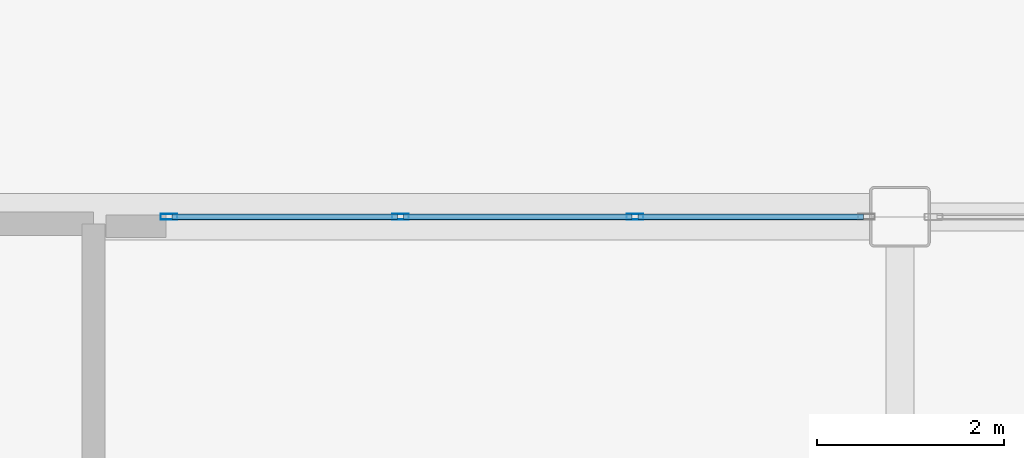
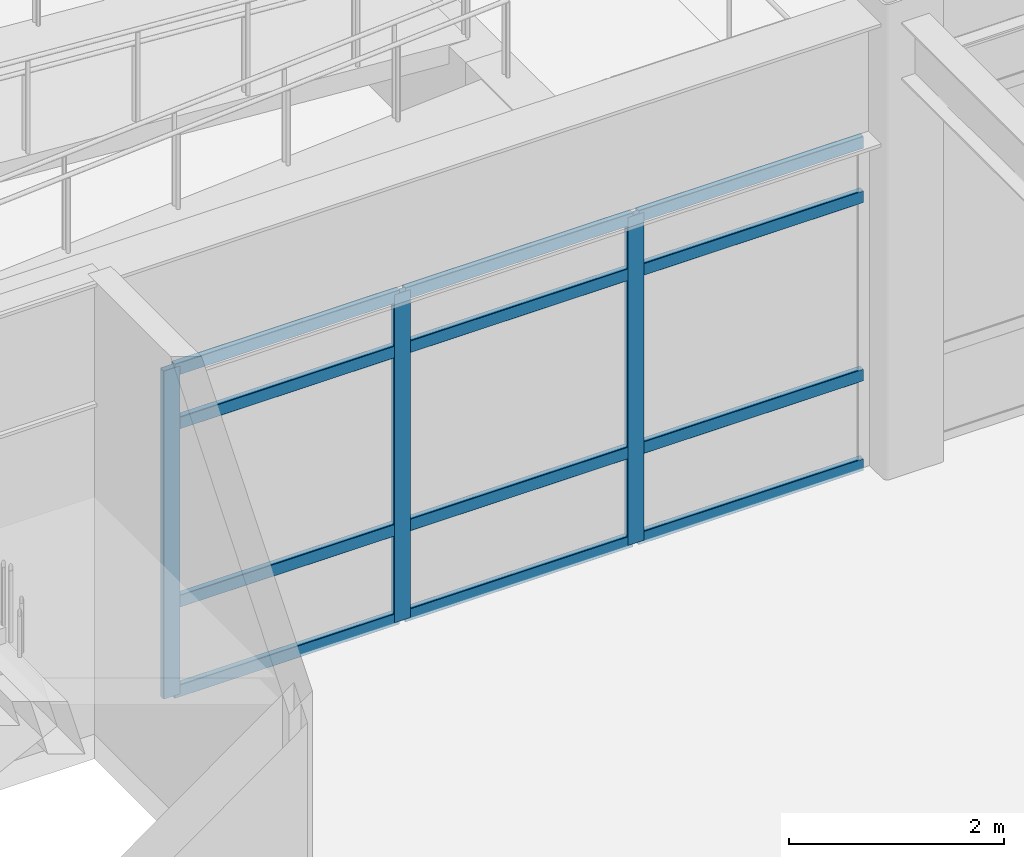
# One storey, part 52 of 165: 15 members, 1 element without a shape of its own.
"""IFC4 building model written with IfcOpenShell, lengths in metres."""

from ifc_helpers import new_model, si_unit, direction, frame, origin, origin_2d, place, context, subcontext, project, spatial, hollow_rectangle, extrude, material, layer, layer_set, material_profile, profile_set, type_object, element, aggregate, save


model = new_model("IFC4")

# Units and contexts
model_context = context("Model", 3, precision=1e-05, world=origin(), true_north=direction((0.0, 1.0)))
body_context = subcontext(model_context, "Body", "Model", "MODEL_VIEW")
ifc_project = project(units=[si_unit("LENGTHUNIT", "METRE"), si_unit("AREAUNIT", "SQUARE_METRE"), si_unit("VOLUMEUNIT", "CUBIC_METRE"), si_unit("PLANEANGLEUNIT", "RADIAN"), si_unit("MASSUNIT", "GRAM", prefix="KILO")], contexts=[model_context])

# Site, building, storey
site_placement = place(None, origin())
site = spatial("IfcSite", under=ifc_project, at=site_placement, CompositionType="ELEMENT")
building_placement = place(site_placement, origin())
building = spatial("IfcBuilding", under=site, at=building_placement, Name="Kazehara Bluff Congress Hotel", CompositionType="ELEMENT")
storey_placement = place(building_placement, origin())
storey = spatial("IfcBuildingStorey", under=building, at=storey_placement, Name="L00", CompositionType="ELEMENT", Elevation=0.0)

# Curtain wall, members
ifc_material_1 = material(Name="Anodised aluminium", Category="aluminium")
ifc_layer = layer(ifc_material_1, 0.159912109375)
ifc_layer_set = layer_set([ifc_layer], Name="Anodised aluminium")
curtain_wall_type = type_object("IfcCurtainWallType", Name="TP-CW-68", PredefinedType="NOTDEFINED", material=ifc_layer_set)
curtain_wall_placement = place(storey_placement, origin())
curtain_wall = element("IfcCurtainWall", 1, at=curtain_wall_placement, inside=storey, type_object=curtain_wall_type, Name="L00 curtain wall CW-68 CW-V4-L00-Y5645-8500", PredefinedType="NOTDEFINED")
ifc_material_2 = material(Name="Anodised aluminium", Category="aluminium")
ifc_material_profile_1 = material_profile(ifc_material_2, hollow_rectangle(XDim=0.06494140625, YDim=0.179931640625, WallThickness=0.00390625, InnerFilletRadius=0.00390625, OuterFilletRadius=0.008056640625, at=origin_2d()))
ifc_profile_set_1 = profile_set([ifc_material_profile_1], Name="Anodised aluminium")
member_type_1 = type_object("IfcMemberType", Name="TP-CWM-02", PredefinedType="MULLION", material=ifc_profile_set_1)
member_1_placement = place(storey_placement, frame((85.032470703125, 56.449951171875, 0.0), z_axis=(0.0, 0.0, 1.0), x_axis=(0.0, 1.0, 0.0)))
member_1 = element("IfcMember", 2, at=member_1_placement, type_object=member_type_1, Name="CW-68 mullion 1", PredefinedType="MULLION", context=body_context, shape_type="SweptSolid", body=[
    extrude(hollow_rectangle(XDim=0.06494140625, YDim=0.179931640625, WallThickness=0.00390625, InnerFilletRadius=0.00390625, OuterFilletRadius=0.008056640625, at=origin_2d()), origin(), (0.0, 0.0, 1.0), 3.72509765625),
])
member_2_placement = place(storey_placement, frame((87.50830078125, 56.449951171875, 0.0), z_axis=(0.0, 0.0, 1.0), x_axis=(0.0, 1.0, 0.0)))
member_2 = element("IfcMember", 3, at=member_2_placement, type_object=member_type_1, Name="CW-68 mullion 2", PredefinedType="MULLION", context=body_context, shape_type="SweptSolid", body=[
    extrude(hollow_rectangle(XDim=0.06494140625, YDim=0.179931640625, WallThickness=0.00390625, InnerFilletRadius=0.00390625, OuterFilletRadius=0.008056640625, at=origin_2d()), origin(), (0.0, 0.0, 1.0), 3.72509765625),
])
member_3_placement = place(storey_placement, frame((90.0166015625, 56.449951171875, 0.0), z_axis=(0.0, 0.0, 1.0), x_axis=(0.0, 1.0, 0.0)))
member_3 = element("IfcMember", 4, at=member_3_placement, type_object=member_type_1, Name="CW-68 mullion 3", PredefinedType="MULLION", context=body_context, shape_type="SweptSolid", body=[
    extrude(hollow_rectangle(XDim=0.06494140625, YDim=0.179931640625, WallThickness=0.00390625, InnerFilletRadius=0.00390625, OuterFilletRadius=0.008056640625, at=origin_2d()), origin(), (0.0, 0.0, 1.0), 3.72509765625),
])
ifc_material_3 = material(Name="Anodised aluminium", Category="aluminium")
ifc_material_profile_2 = material_profile(ifc_material_3, hollow_rectangle(XDim=0.06494140625, YDim=0.139892578125, WallThickness=0.00390625, InnerFilletRadius=0.00390625, OuterFilletRadius=0.008056640625, at=origin_2d()))
ifc_profile_set_2 = profile_set([ifc_material_profile_2], Name="Anodised aluminium")
member_type_2 = type_object("IfcMemberType", Name="TP-CWT-02", PredefinedType="USERDEFINED", material=ifc_profile_set_2)
member_4_placement = place(storey_placement, frame((85.06494140625, 56.449951171875, 0.032470703125), z_axis=(1.0, 0.0, 0.0), x_axis=(0.0, 1.0, 0.0)))
member_4 = element("IfcMember", 5, at=member_4_placement, type_object=member_type_2, Name="CW-68 transom 1.1", ObjectType="TRANSOM", PredefinedType="USERDEFINED", context=body_context, shape_type="SweptSolid", body=[
    extrude(hollow_rectangle(XDim=0.06494140625, YDim=0.139892578125, WallThickness=0.00390625, InnerFilletRadius=0.00390625, OuterFilletRadius=0.008056640625, at=origin_2d()), origin(), (0.0, 0.0, 1.0), 2.410888671875),
])
member_5_placement = place(storey_placement, frame((85.06494140625, 56.449951171875, 1.050048828125), z_axis=(1.0, 0.0, 0.0), x_axis=(0.0, 1.0, 0.0)))
member_5 = element("IfcMember", 6, at=member_5_placement, type_object=member_type_2, Name="CW-68 transom 1.2", ObjectType="TRANSOM", PredefinedType="USERDEFINED", context=body_context, shape_type="SweptSolid", body=[
    extrude(hollow_rectangle(XDim=0.06494140625, YDim=0.139892578125, WallThickness=0.00390625, InnerFilletRadius=0.00390625, OuterFilletRadius=0.008056640625, at=origin_2d()), origin(), (0.0, 0.0, 1.0), 2.410888671875),
])
member_6_placement = place(storey_placement, frame((85.06494140625, 56.449951171875, 3.074951171875), z_axis=(1.0, 0.0, 0.0), x_axis=(0.0, 1.0, 0.0)))
member_6 = element("IfcMember", 7, at=member_6_placement, type_object=member_type_2, Name="CW-68 transom 1.3", ObjectType="TRANSOM", PredefinedType="USERDEFINED", context=body_context, shape_type="SweptSolid", body=[
    extrude(hollow_rectangle(XDim=0.06494140625, YDim=0.139892578125, WallThickness=0.00390625, InnerFilletRadius=0.00390625, OuterFilletRadius=0.008056640625, at=origin_2d()), origin(), (0.0, 0.0, 1.0), 2.410888671875),
])
member_7_placement = place(storey_placement, frame((85.06494140625, 56.449951171875, 3.6923828125), z_axis=(1.0, 0.0, 0.0), x_axis=(0.0, 1.0, 0.0)))
member_7 = element("IfcMember", 8, at=member_7_placement, type_object=member_type_2, Name="CW-68 transom 1.4", ObjectType="TRANSOM", PredefinedType="USERDEFINED", context=body_context, shape_type="SweptSolid", body=[
    extrude(hollow_rectangle(XDim=0.06494140625, YDim=0.139892578125, WallThickness=0.00390625, InnerFilletRadius=0.00390625, OuterFilletRadius=0.008056640625, at=origin_2d()), origin(), (0.0, 0.0, 1.0), 2.410888671875),
])
member_8_placement = place(storey_placement, frame((87.540771484375, 56.449951171875, 0.032470703125), z_axis=(1.0, 0.0, 0.0), x_axis=(0.0, 1.0, 0.0)))
member_8 = element("IfcMember", 9, at=member_8_placement, type_object=member_type_2, Name="CW-68 transom 2.1", ObjectType="TRANSOM", PredefinedType="USERDEFINED", context=body_context, shape_type="SweptSolid", body=[
    extrude(hollow_rectangle(XDim=0.06494140625, YDim=0.139892578125, WallThickness=0.00390625, InnerFilletRadius=0.00390625, OuterFilletRadius=0.008056640625, at=origin_2d()), origin(), (0.0, 0.0, 1.0), 2.443359375),
])
member_9_placement = place(storey_placement, frame((87.540771484375, 56.449951171875, 1.050048828125), z_axis=(1.0, 0.0, 0.0), x_axis=(0.0, 1.0, 0.0)))
member_9 = element("IfcMember", 10, at=member_9_placement, type_object=member_type_2, Name="CW-68 transom 2.2", ObjectType="TRANSOM", PredefinedType="USERDEFINED", context=body_context, shape_type="SweptSolid", body=[
    extrude(hollow_rectangle(XDim=0.06494140625, YDim=0.139892578125, WallThickness=0.00390625, InnerFilletRadius=0.00390625, OuterFilletRadius=0.008056640625, at=origin_2d()), origin(), (0.0, 0.0, 1.0), 2.443359375),
])
member_10_placement = place(storey_placement, frame((87.540771484375, 56.449951171875, 3.074951171875), z_axis=(1.0, 0.0, 0.0), x_axis=(0.0, 1.0, 0.0)))
member_10 = element("IfcMember", 11, at=member_10_placement, type_object=member_type_2, Name="CW-68 transom 2.3", ObjectType="TRANSOM", PredefinedType="USERDEFINED", context=body_context, shape_type="SweptSolid", body=[
    extrude(hollow_rectangle(XDim=0.06494140625, YDim=0.139892578125, WallThickness=0.00390625, InnerFilletRadius=0.00390625, OuterFilletRadius=0.008056640625, at=origin_2d()), origin(), (0.0, 0.0, 1.0), 2.443359375),
])
member_11_placement = place(storey_placement, frame((87.540771484375, 56.449951171875, 3.6923828125), z_axis=(1.0, 0.0, 0.0), x_axis=(0.0, 1.0, 0.0)))
member_11 = element("IfcMember", 12, at=member_11_placement, type_object=member_type_2, Name="CW-68 transom 2.4", ObjectType="TRANSOM", PredefinedType="USERDEFINED", context=body_context, shape_type="SweptSolid", body=[
    extrude(hollow_rectangle(XDim=0.06494140625, YDim=0.139892578125, WallThickness=0.00390625, InnerFilletRadius=0.00390625, OuterFilletRadius=0.008056640625, at=origin_2d()), origin(), (0.0, 0.0, 1.0), 2.443359375),
])
member_12_placement = place(storey_placement, frame((90.049072265625, 56.449951171875, 0.032470703125), z_axis=(1.0, 0.0, 0.0), x_axis=(0.0, 1.0, 0.0)))
member_12 = element("IfcMember", 13, at=member_12_placement, type_object=member_type_2, Name="CW-68 transom 3.1", ObjectType="TRANSOM", PredefinedType="USERDEFINED", context=body_context, shape_type="SweptSolid", body=[
    extrude(hollow_rectangle(XDim=0.06494140625, YDim=0.139892578125, WallThickness=0.00390625, InnerFilletRadius=0.00390625, OuterFilletRadius=0.008056640625, at=origin_2d()), origin(), (0.0, 0.0, 1.0), 2.410888671875),
])
member_13_placement = place(storey_placement, frame((90.049072265625, 56.449951171875, 1.050048828125), z_axis=(1.0, 0.0, 0.0), x_axis=(0.0, 1.0, 0.0)))
member_13 = element("IfcMember", 14, at=member_13_placement, type_object=member_type_2, Name="CW-68 transom 3.2", ObjectType="TRANSOM", PredefinedType="USERDEFINED", context=body_context, shape_type="SweptSolid", body=[
    extrude(hollow_rectangle(XDim=0.06494140625, YDim=0.139892578125, WallThickness=0.00390625, InnerFilletRadius=0.00390625, OuterFilletRadius=0.008056640625, at=origin_2d()), origin(), (0.0, 0.0, 1.0), 2.410888671875),
])
member_14_placement = place(storey_placement, frame((90.049072265625, 56.449951171875, 3.074951171875), z_axis=(1.0, 0.0, 0.0), x_axis=(0.0, 1.0, 0.0)))
member_14 = element("IfcMember", 15, at=member_14_placement, type_object=member_type_2, Name="CW-68 transom 3.3", ObjectType="TRANSOM", PredefinedType="USERDEFINED", context=body_context, shape_type="SweptSolid", body=[
    extrude(hollow_rectangle(XDim=0.06494140625, YDim=0.139892578125, WallThickness=0.00390625, InnerFilletRadius=0.00390625, OuterFilletRadius=0.008056640625, at=origin_2d()), origin(), (0.0, 0.0, 1.0), 2.410888671875),
])
member_15_placement = place(storey_placement, frame((90.049072265625, 56.449951171875, 3.6923828125), z_axis=(1.0, 0.0, 0.0), x_axis=(0.0, 1.0, 0.0)))
member_15 = element("IfcMember", 16, at=member_15_placement, type_object=member_type_2, Name="CW-68 transom 3.4", ObjectType="TRANSOM", PredefinedType="USERDEFINED", context=body_context, shape_type="SweptSolid", body=[
    extrude(hollow_rectangle(XDim=0.06494140625, YDim=0.139892578125, WallThickness=0.00390625, InnerFilletRadius=0.00390625, OuterFilletRadius=0.008056640625, at=origin_2d()), origin(), (0.0, 0.0, 1.0), 2.410888671875),
])
aggregate(curtain_wall, [member_1, member_2, member_3, member_4, member_5, member_6, member_7, member_8, member_9, member_10, member_11, member_12, member_13, member_14, member_15])

save(model, "model.ifc")
